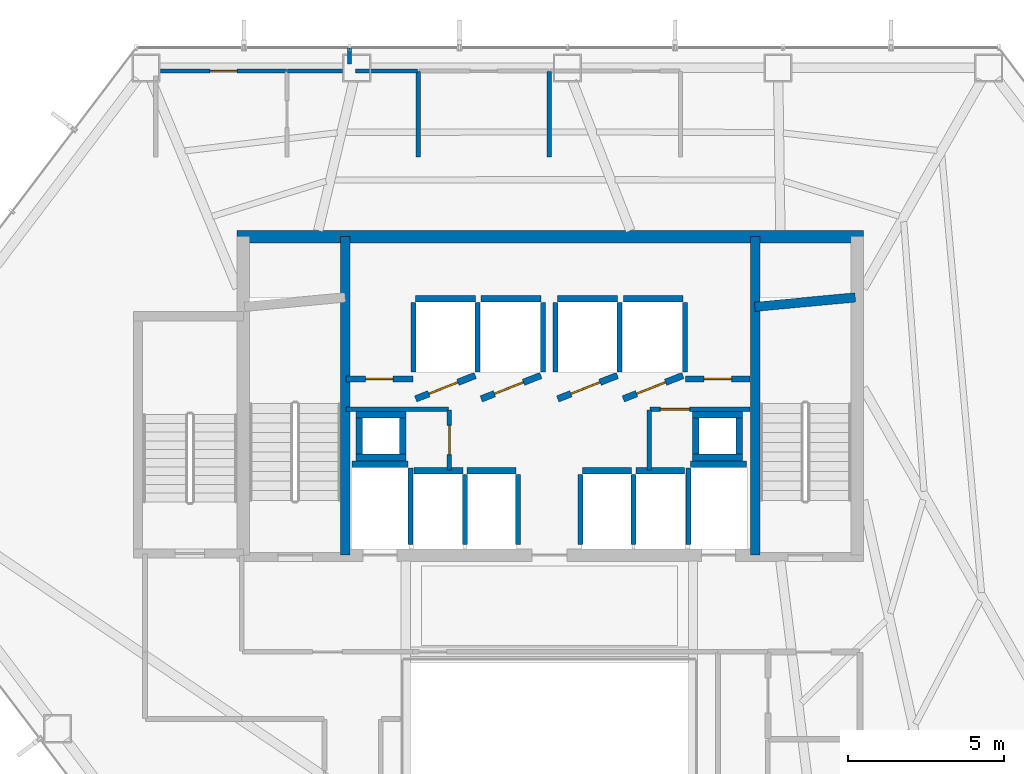
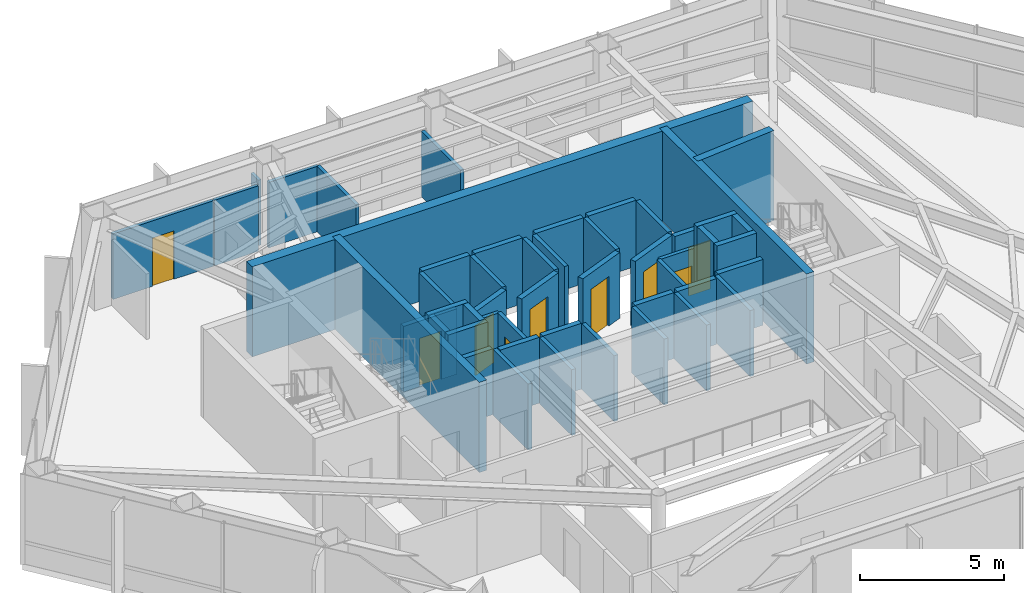
# One storey, part 22 of 24: 50 walls, 9 doors, 9 openings.
"""IFC4 building model written with IfcOpenShell, lengths in metres."""

from ifc_helpers import new_model, si_unit, direction, frame, frame_2d, origin, place, context, subcontext, project, spatial, rectangle, extrude, material, layer, layer_set, type_object, element, fill, save


model = new_model("IFC4")

# Units and contexts
model_context = context("Model", 3, precision=1e-05, world=origin(), true_north=direction((0.0, 1.0)))
body_context = subcontext(model_context, "Body", "Model", "MODEL_VIEW")
ifc_project = project(units=[si_unit("LENGTHUNIT", "METRE"), si_unit("AREAUNIT", "SQUARE_METRE"), si_unit("VOLUMEUNIT", "CUBIC_METRE"), si_unit("PLANEANGLEUNIT", "RADIAN"), si_unit("MASSUNIT", "GRAM", prefix="KILO")], contexts=[model_context])

# Site, building, storey
site_placement = place(None, origin())
site = spatial("IfcSite", under=ifc_project, at=site_placement, CompositionType="ELEMENT")
building_placement = place(site_placement, origin())
building = spatial("IfcBuilding", under=site, at=building_placement, Name="Zarrinselat Tower", CompositionType="ELEMENT")
storey_placement = place(building_placement, frame((0.0, 0.0, 100.97998046875)))
storey = spatial("IfcBuildingStorey", under=building, at=storey_placement, Name="L24", CompositionType="ELEMENT", Elevation=100.97998046875)

# Wall, opening, door
ifc_material_1 = material(Name="Fire-Rated Gypsum Board Partition", Category="gypsum")
ifc_layer_1 = layer(ifc_material_1, 0.14990234375)
ifc_layer_set_1 = layer_set([ifc_layer_1], Name="Fire-Rated Gypsum Board Partition")
wall_type_1 = type_object("IfcWallType", Name="WAL-PART-EI60", PredefinedType="PARTITIONING", material=ifc_layer_set_1)
wall_1_placement = place(storey_placement, frame((35.199951171875, 35.969970703125, 0.0), z_axis=(0.0, 0.0, 1.0), x_axis=(0.0, 1.0, 0.0)))
wall_1 = element("IfcWall", 1, at=wall_1_placement, inside=storey, type_object=wall_type_1, Name="L24 Partition Wall 1", PredefinedType="PARTITIONING", context=body_context, shape_type="SweptSolid", body=[
    extrude(rectangle(XDim=1.929931640625, YDim=0.14990234375, at=frame_2d((0.96484375, 0.0))), origin(), (0.0, 0.0, 1.0), 2.777099609375),
])
opening_1_placement = place(wall_1_placement, frame((0.4951171875, 0.0, 0.0)))
opening_1 = element("IfcOpeningElement", 2, at=opening_1_placement, cuts=wall_1, Name="Opening ID-04", PredefinedType="OPENING", context=body_context, shape_type="SweptSolid", body=[
    extrude(rectangle(XDim=0.93994140625, YDim=2.050048828125, at=frame_2d((0.469970703125, 1.02490234375))), frame((0.0, 0.0849609375, 0.0), z_axis=(0.0, -1.0, 0.0), x_axis=(1.0, 0.0, 0.0)), (0.0, 0.0, 1.0), 0.169921875),
])
ifc_material_2 = material(Name="Fire-Rated Gypsum Board Partition")
door_type_1 = type_object("IfcDoorType", Name="DR-INT-FD30-ENT", OperationType="NOTDEFINED", PredefinedType="DOOR", material=ifc_material_2)
door_1_placement = place(opening_1_placement, origin())
door_1 = element("IfcDoor", 3, at=door_1_placement, inside=storey, type_object=door_type_1, Name="L24 Interior Door P1", OperationType="SINGLE_SWING_LEFT", OverallHeight=2.050048828125, OverallWidth=0.93994140625, PredefinedType="DOOR", context=body_context, shape_type="SweptSolid", body=[
    extrude(rectangle(XDim=0.93994140625, YDim=2.050048828125, at=frame_2d((0.469970703125, 1.02490234375))), frame((0.0, 0.02490234375, 0.0), z_axis=(0.0, -1.0, 0.0), x_axis=(1.0, 0.0, 0.0)), (0.0, 0.0, 1.0), 0.050048828125),
])
fill(opening_1, door_1)

# Wall
wall_2_placement = place(storey_placement, frame((31.885009765625, 37.919921875, 0.0), z_axis=(0.0, 0.0, 1.0), x_axis=(1.0, 0.0, 0.0)))
element("IfcWall", 4, at=wall_2_placement, inside=storey, type_object=wall_type_1, Name="L24 Partition Wall 2", PredefinedType="PARTITIONING", context=body_context, shape_type="SweptSolid", body=[
    extrude(rectangle(XDim=3.294921875, YDim=0.14990234375, at=frame_2d((1.6474609375, 0.0))), origin(), (0.0, 0.0, 1.0), 2.777099609375),
])

# Wall, opening, door
wall_3_placement = place(storey_placement, frame((41.6201171875, 37.919921875, 0.0), z_axis=(0.0, 0.0, 1.0), x_axis=(1.0, 0.0, 0.0)))
wall_3 = element("IfcWall", 5, at=wall_3_placement, inside=storey, type_object=wall_type_1, Name="L24 Partition Wall 5", PredefinedType="PARTITIONING", context=body_context, shape_type="SweptSolid", body=[
    extrude(rectangle(XDim=3.21484375, YDim=0.14990234375, at=frame_2d((1.607421875, 0.0))), origin(), (0.0, 0.0, 1.0), 2.777099609375),
])
opening_2_placement = place(wall_3_placement, frame((0.33740234375, 0.0, 0.0)))
opening_2 = element("IfcOpeningElement", 6, at=opening_2_placement, cuts=wall_3, Name="Opening ID-04", PredefinedType="OPENING", context=body_context, shape_type="SweptSolid", body=[
    extrude(rectangle(XDim=0.93994140625, YDim=2.050048828125, at=frame_2d((0.469970703125, 1.02490234375))), frame((0.0, 0.0849609375, 0.0), z_axis=(0.0, -1.0, 0.0), x_axis=(1.0, 0.0, 0.0)), (0.0, 0.0, 1.0), 0.169921875),
])
door_2_placement = place(opening_2_placement, origin())
door_2 = element("IfcDoor", 7, at=door_2_placement, inside=storey, type_object=door_type_1, Name="L24 Interior Door P5", OperationType="SINGLE_SWING_RIGHT", OverallHeight=2.050048828125, OverallWidth=0.93994140625, PredefinedType="DOOR", context=body_context, shape_type="SweptSolid", body=[
    extrude(rectangle(XDim=0.93994140625, YDim=2.050048828125, at=frame_2d((0.469970703125, 1.02490234375))), frame((0.0, 0.02490234375, 0.0), z_axis=(0.0, -1.0, 0.0), x_axis=(1.0, 0.0, 0.0)), (0.0, 0.0, 1.0), 0.050048828125),
])
fill(opening_2, door_2)

# Wall
wall_4_placement = place(storey_placement, frame((41.60009765625, 35.969970703125, 0.0), z_axis=(0.0, 0.0, 1.0), x_axis=(0.0, 1.0, 0.0)))
element("IfcWall", 8, at=wall_4_placement, inside=storey, type_object=wall_type_1, Name="L24 Partition Wall 6", PredefinedType="PARTITIONING", context=body_context, shape_type="SweptSolid", body=[
    extrude(rectangle(XDim=1.929931640625, YDim=0.14990234375, at=frame_2d((0.96484375, 0.0))), origin(), (0.0, 0.0, 1.0), 2.777099609375),
])

# Wall, opening, door
ifc_material_3 = material(Name="Concrete C40/50", Category="concrete")
ifc_layer_2 = layer(ifc_material_3, 0.199951171875)
ifc_layer_set_2 = layer_set([ifc_layer_2], Name="Concrete C40/50")
wall_type_2 = type_object("IfcWallType", Name="WAL-PART-PLANT", PredefinedType="PARTITIONING", material=ifc_layer_set_2)
wall_5_placement = place(storey_placement, frame((31.885009765625, 38.889892578125, 0.0), z_axis=(0.0, 0.0, 1.0), x_axis=(1.0, 0.0, 0.0)))
wall_5 = element("IfcWall", 9, at=wall_5_placement, inside=storey, type_object=wall_type_2, Name="L24 Partition Wall 3", PredefinedType="PARTITIONING", context=body_context, shape_type="SweptSolid", body=[
    extrude(rectangle(XDim=2.14990234375, YDim=0.199951171875, at=frame_2d((1.074951171875, 0.0))), origin(), (0.0, 0.0, 1.0), 2.777099609375),
])
opening_3_placement = place(wall_5_placement, frame((0.635009765625, 0.0, 0.0)))
opening_3 = element("IfcOpeningElement", 10, at=opening_3_placement, cuts=wall_5, Name="Opening ID-03", PredefinedType="OPENING", context=body_context, shape_type="SweptSolid", body=[
    extrude(rectangle(XDim=0.8798828125, YDim=2.050048828125, at=frame_2d((0.43994140625, 1.02490234375))), frame((0.0, 0.10986328125, 0.0), z_axis=(0.0, -1.0, 0.0), x_axis=(1.0, 0.0, 0.0)), (0.0, 0.0, 1.0), 0.219970703125),
])
ifc_material_4 = material(Name="Steel S355J2", Category="steel")
door_type_2 = type_object("IfcDoorType", Name="DR-INT-FD60-S", OperationType="NOTDEFINED", PredefinedType="DOOR", material=ifc_material_4)
door_3_placement = place(opening_3_placement, origin())
door_3 = element("IfcDoor", 11, at=door_3_placement, inside=storey, type_object=door_type_2, Name="L24 Interior Door P3", OperationType="SINGLE_SWING_RIGHT", OverallHeight=2.050048828125, OverallWidth=0.8798828125, PredefinedType="DOOR", context=body_context, shape_type="SweptSolid", body=[
    extrude(rectangle(XDim=0.8798828125, YDim=2.050048828125, at=frame_2d((0.43994140625, 1.02490234375))), frame((0.0, 0.02490234375, 0.0), z_axis=(0.0, -1.0, 0.0), x_axis=(1.0, 0.0, 0.0)), (0.0, 0.0, 1.0), 0.050048828125),
])
fill(opening_3, door_3)

wall_6_placement = place(storey_placement, frame((42.764892578125, 38.889892578125, 0.0), z_axis=(0.0, 0.0, 1.0), x_axis=(1.0, 0.0, 0.0)))
wall_6 = element("IfcWall", 12, at=wall_6_placement, inside=storey, type_object=wall_type_2, Name="L24 Partition Wall 4", PredefinedType="PARTITIONING", context=body_context, shape_type="SweptSolid", body=[
    extrude(rectangle(XDim=2.070068359375, YDim=0.199951171875, at=frame_2d((1.03515625, 0.0))), origin(), (0.0, 0.0, 1.0), 2.777099609375),
])
opening_4_placement = place(wall_6_placement, frame((0.594970703125, 0.0, 0.0)))
opening_4 = element("IfcOpeningElement", 13, at=opening_4_placement, cuts=wall_6, Name="Opening ID-03", PredefinedType="OPENING", context=body_context, shape_type="SweptSolid", body=[
    extrude(rectangle(XDim=0.8798828125, YDim=2.050048828125, at=frame_2d((0.43994140625, 1.02490234375))), frame((0.0, 0.10986328125, 0.0), z_axis=(0.0, -1.0, 0.0), x_axis=(1.0, 0.0, 0.0)), (0.0, 0.0, 1.0), 0.219970703125),
])
door_4_placement = place(opening_4_placement, origin())
door_4 = element("IfcDoor", 14, at=door_4_placement, inside=storey, type_object=door_type_2, Name="L24 Interior Door P4", OperationType="SINGLE_SWING_LEFT", OverallHeight=2.050048828125, OverallWidth=0.8798828125, PredefinedType="DOOR", context=body_context, shape_type="SweptSolid", body=[
    extrude(rectangle(XDim=0.8798828125, YDim=2.050048828125, at=frame_2d((0.43994140625, 1.02490234375))), frame((0.0, 0.02490234375, 0.0), z_axis=(0.0, -1.0, 0.0), x_axis=(1.0, 0.0, 0.0)), (0.0, 0.0, 1.0), 0.050048828125),
])
fill(opening_4, door_4)

# Wall
ifc_material_5 = material(Name="Fire-Rated Gypsum Board Partition", Category="gypsum")
ifc_layer_3 = layer(ifc_material_5, 0.1201171875)
ifc_layer_set_3 = layer_set([ifc_layer_3], Name="Fire-Rated Gypsum Board Partition")
wall_type_3 = type_object("IfcWallType", Name="WAL-PART-STD", PredefinedType="PARTITIONING", material=ifc_layer_set_3)
wall_7_placement = place(storey_placement, frame((32.0, 48.9765625, 0.0), z_axis=(0.0, 0.0, 1.0), x_axis=(0.0, 1.0, 0.0)))
element("IfcWall", 15, at=wall_7_placement, inside=storey, type_object=wall_type_3, Name="L24 Partition Wall 45", PredefinedType="PARTITIONING", context=body_context, shape_type="SweptSolid", body=[
    extrude(rectangle(XDim=0.508544921875, YDim=0.1201171875, at=frame_2d((0.25439453125, 0.0))), origin(), (0.0, 0.0, 1.0), 2.777099609375),
])

# Wall, opening, door
ifc_material_6 = material(Name="Fire-Rated Gypsum Board Partition", Category="gypsum")
ifc_layer_4 = layer(ifc_material_6, 0.135009765625)
ifc_layer_set_4 = layer_set([ifc_layer_4], Name="Fire-Rated Gypsum Board Partition")
wall_type_4 = type_object("IfcWallType", Name="WAL-PART-WET", PredefinedType="PARTITIONING", material=ifc_layer_set_4)
wall_8_placement = place(storey_placement, frame((25.950927734375, 48.75, 0.0), z_axis=(0.0, 0.0, 1.0), x_axis=(1.0, 0.0, 0.0)))
wall_8 = element("IfcWall", 16, at=wall_8_placement, inside=storey, type_object=wall_type_4, Name="L24 Partition Wall 33", PredefinedType="PARTITIONING", context=body_context, shape_type="SweptSolid", body=[
    extrude(rectangle(XDim=4.029052734375, YDim=0.135009765625, at=frame_2d((2.0146484375, 0.0))), origin(), (0.0, 0.0, 1.0), 2.777099609375),
])
opening_5_placement = place(wall_8_placement, frame((1.58447265625, 0.0, 0.0)))
opening_5 = element("IfcOpeningElement", 17, at=opening_5_placement, cuts=wall_8, Name="Opening ID-06", PredefinedType="OPENING", context=body_context, shape_type="SweptSolid", body=[
    extrude(rectangle(XDim=0.860107421875, YDim=2.050048828125, at=frame_2d((0.43017578125, 1.02490234375))), frame((0.0, 0.077392578125, 0.0), z_axis=(0.0, -1.0, 0.0), x_axis=(1.0, 0.0, 0.0)), (0.0, 0.0, 1.0), 0.155029296875),
])
ifc_material_7 = material(Name="Extruded Aluminium Alloy EN AW-6063 T6", Category="aluminium")
door_type_3 = type_object("IfcDoorType", Name="DR-INT-WET-900", OperationType="NOTDEFINED", PredefinedType="DOOR", material=ifc_material_7)
door_5_placement = place(opening_5_placement, origin())
door_5 = element("IfcDoor", 18, at=door_5_placement, inside=storey, type_object=door_type_3, Name="L24 Interior Door P33", OperationType="SINGLE_SWING_RIGHT", OverallHeight=2.050048828125, OverallWidth=0.860107421875, PredefinedType="DOOR", context=body_context, shape_type="SweptSolid", body=[
    extrude(rectangle(XDim=0.860107421875, YDim=2.050048828125, at=frame_2d((0.43017578125, 1.02490234375))), frame((0.0, 0.02490234375, 0.0), z_axis=(0.0, -1.0, 0.0), x_axis=(1.0, 0.0, 0.0)), (0.0, 0.0, 1.0), 0.050048828125),
])
fill(opening_5, door_5)

# Walls
wall_9_placement = place(storey_placement, frame((34.199951171875, 46.0, 0.0), z_axis=(0.0, 0.0, 1.0), x_axis=(0.0, 1.0, 0.0)))
element("IfcWall", 19, at=wall_9_placement, inside=storey, type_object=wall_type_4, Name="L24 Partition Wall 35", PredefinedType="PARTITIONING", context=body_context, shape_type="SweptSolid", body=[
    extrude(rectangle(XDim=2.72998046875, YDim=0.135009765625, at=frame_2d((1.364990234375, 0.0))), origin(), (0.0, 0.0, 1.0), 2.777099609375),
])
wall_10_placement = place(storey_placement, frame((30.02001953125, 48.75, 0.0), z_axis=(0.0, 0.0, 1.0), x_axis=(1.0, 0.0, 0.0)))
element("IfcWall", 20, at=wall_10_placement, inside=storey, type_object=wall_type_4, Name="L24 Partition Wall 36", PredefinedType="PARTITIONING", context=body_context, shape_type="SweptSolid", body=[
    extrude(rectangle(XDim=1.754638671875, YDim=0.135009765625, at=frame_2d((0.87744140625, 0.0))), origin(), (0.0, 0.0, 1.0), 2.777099609375),
])
wall_11_placement = place(storey_placement, frame((32.19775390625, 48.75, 0.0), z_axis=(0.0, 0.0, 1.0), x_axis=(1.0, 0.0, 0.0)))
element("IfcWall", 21, at=wall_11_placement, inside=storey, type_object=wall_type_4, Name="L24 Partition Wall 37", PredefinedType="PARTITIONING", context=body_context, shape_type="SweptSolid", body=[
    extrude(rectangle(XDim=1.982177734375, YDim=0.135009765625, at=frame_2d((0.9912109375, 0.0))), origin(), (0.0, 0.0, 1.0), 2.777099609375),
])
wall_12_placement = place(storey_placement, frame((38.39990234375, 46.0, 0.0), z_axis=(0.0, 0.0, 1.0), x_axis=(0.0, 1.0, 0.0)))
element("IfcWall", 22, at=wall_12_placement, inside=storey, type_object=wall_type_4, Name="L24 Partition Wall 38", PredefinedType="PARTITIONING", context=body_context, shape_type="SweptSolid", body=[
    extrude(rectangle(XDim=2.72998046875, YDim=0.135009765625, at=frame_2d((1.364990234375, 0.0))), origin(), (0.0, 0.0, 1.0), 2.777099609375),
])
ifc_material_8 = material(Name="Concrete C40/50", Category="concrete")
ifc_layer_5 = layer(ifc_material_8, 0.2099609375)
ifc_layer_set_5 = layer_set([ifc_layer_5], Name="Concrete C40/50")
wall_type_5 = type_object("IfcWallType", Name="WAL-SHAFT-210", PredefinedType="SOLIDWALL", material=ifc_layer_set_5)
wall_13_placement = place(storey_placement, frame((32.080078125, 36.155029296875, 0.0), z_axis=(0.0, 0.0, 1.0), x_axis=(1.0, 0.0, 0.0)))
element("IfcWall", 23, at=wall_13_placement, inside=storey, type_object=wall_type_5, Name="L24 Lift FFL1 North Shaft Wall", PredefinedType="SOLIDWALL", context=body_context, shape_type="SweptSolid", body=[
    extrude(rectangle(XDim=1.7998046875, YDim=0.2099609375, at=frame_2d((0.89990234375, 0.0))), origin(), (0.0, 0.0, 1.0), 2.7919921875),
])
wall_14_placement = place(storey_placement, frame((33.949951171875, 33.580078125, 0.0), z_axis=(0.0, 0.0, 1.0), x_axis=(0.0, 1.0, 0.0)))
element("IfcWall", 24, at=wall_14_placement, inside=storey, type_object=wall_type_5, Name="L24 Lift FFL1 E Shaft Wall", PredefinedType="SOLIDWALL", context=body_context, shape_type="SweptSolid", body=[
    extrude(rectangle(XDim=2.449951171875, YDim=0.159912109375, at=frame_2d((1.22509765625, 0.0))), origin(), (0.0, 0.0, 1.0), 2.7919921875),
])
wall_15_placement = place(storey_placement, frame((42.919921875, 36.155029296875, 0.0), z_axis=(0.0, 0.0, 1.0), x_axis=(1.0, 0.0, 0.0)))
element("IfcWall", 25, at=wall_15_placement, inside=storey, type_object=wall_type_5, Name="L24 Lift FFL2 North Shaft Wall", PredefinedType="SOLIDWALL", context=body_context, shape_type="SweptSolid", body=[
    extrude(rectangle(XDim=1.800048828125, YDim=0.2099609375, at=frame_2d((0.89990234375, 0.0))), origin(), (0.0, 0.0, 1.0), 2.7919921875),
])
wall_16_placement = place(storey_placement, frame((42.85009765625, 33.580078125, 0.0), z_axis=(0.0, 0.0, 1.0), x_axis=(0.0, 1.0, 0.0)))
element("IfcWall", 26, at=wall_16_placement, inside=storey, type_object=wall_type_5, Name="L24 Lift FFL2 W Shaft Wall", PredefinedType="SOLIDWALL", context=body_context, shape_type="SweptSolid", body=[
    extrude(rectangle(XDim=2.449951171875, YDim=0.159912109375, at=frame_2d((1.22509765625, 0.0))), origin(), (0.0, 0.0, 1.0), 2.7919921875),
])

# Wall, opening, door
wall_17_placement = place(storey_placement, frame((34.1201171875, 38.25, 0.0), z_axis=(0.0, 0.0, 1.0), x_axis=(0.930804993012, 0.36551616241, 0.0)))
wall_17 = element("IfcWall", 27, at=wall_17_placement, inside=storey, type_object=wall_type_5, Name="L24 Lift PL1 Front Shaft Wall", PredefinedType="SOLIDWALL", context=body_context, shape_type="SweptSolid", body=[
    extrude(rectangle(XDim=2.052001953125, YDim=0.2099609375, at=frame_2d((1.02587890625, 0.0))), origin(), (0.0, 0.0, 1.0), 2.7919921875),
])
opening_6_placement = place(wall_17_placement, frame((0.455078125, 0.0, 0.0)))
opening_6 = element("IfcOpeningElement", 28, at=opening_6_placement, cuts=wall_17, Name="Opening LD-PL1", PredefinedType="OPENING", context=body_context, shape_type="SweptSolid", body=[
    extrude(rectangle(XDim=1.0, YDim=2.10009765625, at=frame_2d((0.5, 1.050048828125))), frame((0.0, 0.114990234375, 0.0), z_axis=(0.0, -1.0, 0.0), x_axis=(1.0, 0.0, 0.0)), (0.0, 0.0, 1.0), 0.22998046875),
])
ifc_material_9 = material(Name="Steel S355J2", Category="steel")
door_type_4 = type_object("IfcDoorType", Name="DR-LIFT-PS-1000", OperationType="NOTDEFINED", PredefinedType="DOOR", material=ifc_material_9)
door_6_placement = place(opening_6_placement, origin())
door_6 = element("IfcDoor", 29, at=door_6_placement, inside=storey, type_object=door_type_4, Name="L24 Lift PL1 Sliding Landing Door", OperationType="SLIDING_TO_LEFT", OverallHeight=2.10009765625, OverallWidth=1.0, PredefinedType="DOOR", context=body_context, shape_type="SweptSolid", body=[
    extrude(rectangle(XDim=1.0, YDim=2.10009765625, at=frame_2d((0.5, 1.050048828125))), frame((0.0, 0.02490234375, 0.0), z_axis=(0.0, -1.0, 0.0), x_axis=(1.0, 0.0, 0.0)), (0.0, 0.0, 1.0), 0.050048828125),
])
fill(opening_6, door_6)

# Walls
wall_18_placement = place(storey_placement, frame((34.1201171875, 41.455078125, 0.0), z_axis=(0.0, 0.0, 1.0), x_axis=(1.0, 0.0, 0.0)))
element("IfcWall", 30, at=wall_18_placement, inside=storey, type_object=wall_type_5, Name="L24 Lift PL1 Rear Shaft Wall", PredefinedType="SOLIDWALL", context=body_context, shape_type="SweptSolid", body=[
    extrude(rectangle(XDim=1.909912109375, YDim=0.2099609375, at=frame_2d((0.955078125, 0.0))), origin(), (0.0, 0.0, 1.0), 2.7919921875),
])
for number, where, z_axis, x_axis, name in (
    (31, (34.050048828125, 39.1201171875, 0.0), (0.0, 0.0, 1.0), (0.0, 1.0, 0.0), "L24 Lift PL1 W Shaft Wall"),
    (32, (36.10009765625, 39.1201171875, 0.0), (0.0, 0.0, 1.0), (0.0, 1.0, 0.0), "L24 Lift PL1 E Shaft Wall"),
):
    element("IfcWall", number, at=place(storey_placement, frame(where, z_axis=z_axis, x_axis=x_axis)), inside=storey, type_object=wall_type_5, Name=name, PredefinedType="SOLIDWALL", context=body_context, shape_type="SweptSolid", body=[
        extrude(rectangle(XDim=2.2099609375, YDim=0.159912109375, at=frame_2d((1.10498046875, 0.0))), origin(), (0.0, 0.0, 1.0), 2.7919921875),
    ])

# Wall, opening, door
wall_19_placement = place(storey_placement, frame((36.219970703125, 38.25, 0.0), z_axis=(0.0, 0.0, 1.0), x_axis=(0.930804993012, 0.36551616241, 0.0)))
wall_19 = element("IfcWall", 33, at=wall_19_placement, inside=storey, type_object=wall_type_5, Name="L24 Lift PL2 Front Shaft Wall", PredefinedType="SOLIDWALL", context=body_context, shape_type="SweptSolid", body=[
    extrude(rectangle(XDim=2.052001953125, YDim=0.2099609375, at=frame_2d((1.02587890625, 0.0))), origin(), (0.0, 0.0, 1.0), 2.7919921875),
])
opening_7_placement = place(wall_19_placement, frame((0.455078125, 0.0, 0.0)))
opening_7 = element("IfcOpeningElement", 34, at=opening_7_placement, cuts=wall_19, Name="Opening LD-PL2", PredefinedType="OPENING", context=body_context, shape_type="SweptSolid", body=[
    extrude(rectangle(XDim=1.0, YDim=2.10009765625, at=frame_2d((0.5, 1.050048828125))), frame((0.0, 0.114990234375, 0.0), z_axis=(0.0, -1.0, 0.0), x_axis=(1.0, 0.0, 0.0)), (0.0, 0.0, 1.0), 0.22998046875),
])
door_7_placement = place(opening_7_placement, origin())
door_7 = element("IfcDoor", 35, at=door_7_placement, inside=storey, type_object=door_type_4, Name="L24 Lift PL2 Sliding Landing Door", OperationType="SLIDING_TO_RIGHT", OverallHeight=2.10009765625, OverallWidth=1.0, PredefinedType="DOOR", context=body_context, shape_type="SweptSolid", body=[
    extrude(rectangle(XDim=1.0, YDim=2.10009765625, at=frame_2d((0.5, 1.050048828125))), frame((0.0, 0.02490234375, 0.0), z_axis=(0.0, -1.0, 0.0), x_axis=(1.0, 0.0, 0.0)), (0.0, 0.0, 1.0), 0.050048828125),
])
fill(opening_7, door_7)

# Walls
wall_20_placement = place(storey_placement, frame((36.219970703125, 41.455078125, 0.0), z_axis=(0.0, 0.0, 1.0), x_axis=(1.0, 0.0, 0.0)))
element("IfcWall", 36, at=wall_20_placement, inside=storey, type_object=wall_type_5, Name="L24 Lift PL2 Rear Shaft Wall", PredefinedType="SOLIDWALL", context=body_context, shape_type="SweptSolid", body=[
    extrude(rectangle(XDim=1.909912109375, YDim=0.2099609375, at=frame_2d((0.955078125, 0.0))), origin(), (0.0, 0.0, 1.0), 2.7919921875),
])
wall_21_placement = place(storey_placement, frame((38.199951171875, 39.1201171875, 0.0), z_axis=(0.0, 0.0, 1.0), x_axis=(0.0, 1.0, 0.0)))
element("IfcWall", 37, at=wall_21_placement, inside=storey, type_object=wall_type_5, Name="L24 Lift PL2 E Shaft Wall", PredefinedType="SOLIDWALL", context=body_context, shape_type="SweptSolid", body=[
    extrude(rectangle(XDim=2.2099609375, YDim=0.159912109375, at=frame_2d((1.10498046875, 0.0))), origin(), (0.0, 0.0, 1.0), 2.7919921875),
])

# Wall, opening, door
wall_22_placement = place(storey_placement, frame((38.669921875, 38.25, 0.0), z_axis=(0.0, 0.0, 1.0), x_axis=(0.930820886763, 0.3654756856, 0.0)))
wall_22 = element("IfcWall", 38, at=wall_22_placement, inside=storey, type_object=wall_type_5, Name="L24 Lift PL3 Front Shaft Wall", PredefinedType="SOLIDWALL", context=body_context, shape_type="SweptSolid", body=[
    extrude(rectangle(XDim=2.052001953125, YDim=0.2099609375, at=frame_2d((1.02587890625, 0.0))), origin(), (0.0, 0.0, 1.0), 2.7919921875),
])
opening_8_placement = place(wall_22_placement, frame((0.455078125, 0.0, 0.0)))
opening_8 = element("IfcOpeningElement", 39, at=opening_8_placement, cuts=wall_22, Name="Opening LD-PL3", PredefinedType="OPENING", context=body_context, shape_type="SweptSolid", body=[
    extrude(rectangle(XDim=1.0, YDim=2.10009765625, at=frame_2d((0.5, 1.050048828125))), frame((0.0, 0.114990234375, 0.0), z_axis=(0.0, -1.0, 0.0), x_axis=(1.0, 0.0, 0.0)), (0.0, 0.0, 1.0), 0.22998046875),
])
door_8_placement = place(opening_8_placement, origin())
door_8 = element("IfcDoor", 40, at=door_8_placement, inside=storey, type_object=door_type_4, Name="L24 Lift PL3 Sliding Landing Door", OperationType="SLIDING_TO_LEFT", OverallHeight=2.10009765625, OverallWidth=1.0, PredefinedType="DOOR", context=body_context, shape_type="SweptSolid", body=[
    extrude(rectangle(XDim=1.0, YDim=2.10009765625, at=frame_2d((0.5, 1.050048828125))), frame((0.0, 0.02490234375, 0.0), z_axis=(0.0, -1.0, 0.0), x_axis=(1.0, 0.0, 0.0)), (0.0, 0.0, 1.0), 0.050048828125),
])
fill(opening_8, door_8)

# Walls
wall_23_placement = place(storey_placement, frame((38.669921875, 41.455078125, 0.0), z_axis=(0.0, 0.0, 1.0), x_axis=(1.0, 0.0, 0.0)))
element("IfcWall", 41, at=wall_23_placement, inside=storey, type_object=wall_type_5, Name="L24 Lift PL3 Rear Shaft Wall", PredefinedType="SOLIDWALL", context=body_context, shape_type="SweptSolid", body=[
    extrude(rectangle(XDim=1.91015625, YDim=0.2099609375, at=frame_2d((0.955078125, 0.0))), origin(), (0.0, 0.0, 1.0), 2.7919921875),
])
for number, where, z_axis, x_axis, name in (
    (42, (38.60009765625, 39.1201171875, 0.0), (0.0, 0.0, 1.0), (0.0, 1.0, 0.0), "L24 Lift PL3 W Shaft Wall"),
    (43, (40.64990234375, 39.1201171875, 0.0), (0.0, 0.0, 1.0), (0.0, 1.0, 0.0), "L24 Lift PL3 E Shaft Wall"),
):
    element("IfcWall", number, at=place(storey_placement, frame(where, z_axis=z_axis, x_axis=x_axis)), inside=storey, type_object=wall_type_5, Name=name, PredefinedType="SOLIDWALL", context=body_context, shape_type="SweptSolid", body=[
        extrude(rectangle(XDim=2.2099609375, YDim=0.159912109375, at=frame_2d((1.10498046875, 0.0))), origin(), (0.0, 0.0, 1.0), 2.7919921875),
    ])

# Wall, opening, door
wall_24_placement = place(storey_placement, frame((40.77001953125, 38.25, 0.0), z_axis=(0.0, 0.0, 1.0), x_axis=(0.930804993012, 0.36551616241, 0.0)))
wall_24 = element("IfcWall", 44, at=wall_24_placement, inside=storey, type_object=wall_type_5, Name="L24 Lift PL4 Front Shaft Wall", PredefinedType="SOLIDWALL", context=body_context, shape_type="SweptSolid", body=[
    extrude(rectangle(XDim=2.052001953125, YDim=0.2099609375, at=frame_2d((1.02587890625, 0.0))), origin(), (0.0, 0.0, 1.0), 2.7919921875),
])
opening_9_placement = place(wall_24_placement, frame((0.455078125, 0.0, 0.0)))
opening_9 = element("IfcOpeningElement", 45, at=opening_9_placement, cuts=wall_24, Name="Opening LD-PL4", PredefinedType="OPENING", context=body_context, shape_type="SweptSolid", body=[
    extrude(rectangle(XDim=1.0, YDim=2.10009765625, at=frame_2d((0.5, 1.050048828125))), frame((0.0, 0.114990234375, 0.0), z_axis=(0.0, -1.0, 0.0), x_axis=(1.0, 0.0, 0.0)), (0.0, 0.0, 1.0), 0.22998046875),
])
door_9_placement = place(opening_9_placement, origin())
door_9 = element("IfcDoor", 46, at=door_9_placement, inside=storey, type_object=door_type_4, Name="L24 Lift PL4 Sliding Landing Door", OperationType="SLIDING_TO_RIGHT", OverallHeight=2.10009765625, OverallWidth=1.0, PredefinedType="DOOR", context=body_context, shape_type="SweptSolid", body=[
    extrude(rectangle(XDim=1.0, YDim=2.10009765625, at=frame_2d((0.5, 1.050048828125))), frame((0.0, 0.02490234375, 0.0), z_axis=(0.0, -1.0, 0.0), x_axis=(1.0, 0.0, 0.0)), (0.0, 0.0, 1.0), 0.050048828125),
])
fill(opening_9, door_9)

# Walls
wall_25_placement = place(storey_placement, frame((40.77001953125, 41.455078125, 0.0), z_axis=(0.0, 0.0, 1.0), x_axis=(1.0, 0.0, 0.0)))
element("IfcWall", 47, at=wall_25_placement, inside=storey, type_object=wall_type_5, Name="L24 Lift PL4 Rear Shaft Wall", PredefinedType="SOLIDWALL", context=body_context, shape_type="SweptSolid", body=[
    extrude(rectangle(XDim=1.909912109375, YDim=0.2099609375, at=frame_2d((0.955078125, 0.0))), origin(), (0.0, 0.0, 1.0), 2.7919921875),
])
wall_26_placement = place(storey_placement, frame((42.75, 39.1201171875, 0.0), z_axis=(0.0, 0.0, 1.0), x_axis=(0.0, 1.0, 0.0)))
element("IfcWall", 48, at=wall_26_placement, inside=storey, type_object=wall_type_5, Name="L24 Lift PL4 E Shaft Wall", PredefinedType="SOLIDWALL", context=body_context, shape_type="SweptSolid", body=[
    extrude(rectangle(XDim=2.2099609375, YDim=0.159912109375, at=frame_2d((1.10498046875, 0.0))), origin(), (0.0, 0.0, 1.0), 2.7919921875),
])
wall_27_placement = place(storey_placement, frame((34.070068359375, 35.955078125, 0.0), z_axis=(0.0, 0.0, 1.0), x_axis=(1.0, 0.0, 0.0)))
element("IfcWall", 49, at=wall_27_placement, inside=storey, type_object=wall_type_5, Name="L24 Lift PL5 North Shaft Wall", PredefinedType="SOLIDWALL", context=body_context, shape_type="SweptSolid", body=[
    extrude(rectangle(XDim=1.559814453125, YDim=0.2099609375, at=frame_2d((0.77978515625, 0.0))), origin(), (0.0, 0.0, 1.0), 2.7919921875),
])
wall_28_placement = place(storey_placement, frame((35.699951171875, 33.580078125, 0.0), z_axis=(0.0, 0.0, 1.0), x_axis=(0.0, 1.0, 0.0)))
element("IfcWall", 50, at=wall_28_placement, inside=storey, type_object=wall_type_5, Name="L24 Lift PL5 E Shaft Wall", PredefinedType="SOLIDWALL", context=body_context, shape_type="SweptSolid", body=[
    extrude(rectangle(XDim=2.25, YDim=0.159912109375, at=frame_2d((1.125, 0.0))), origin(), (0.0, 0.0, 1.0), 2.7919921875),
])
wall_29_placement = place(storey_placement, frame((35.77001953125, 35.955078125, 0.0), z_axis=(0.0, 0.0, 1.0), x_axis=(1.0, 0.0, 0.0)))
element("IfcWall", 51, at=wall_29_placement, inside=storey, type_object=wall_type_5, Name="L24 Lift PL6 North Shaft Wall", PredefinedType="SOLIDWALL", context=body_context, shape_type="SweptSolid", body=[
    extrude(rectangle(XDim=1.56005859375, YDim=0.2099609375, at=frame_2d((0.780029296875, 0.0))), origin(), (0.0, 0.0, 1.0), 2.7919921875),
])
wall_30_placement = place(storey_placement, frame((37.39990234375, 33.580078125, 0.0), z_axis=(0.0, 0.0, 1.0), x_axis=(0.0, 1.0, 0.0)))
element("IfcWall", 52, at=wall_30_placement, inside=storey, type_object=wall_type_5, Name="L24 Lift PL6 E Shaft Wall", PredefinedType="SOLIDWALL", context=body_context, shape_type="SweptSolid", body=[
    extrude(rectangle(XDim=2.25, YDim=0.159912109375, at=frame_2d((1.125, 0.0))), origin(), (0.0, 0.0, 1.0), 2.7919921875),
])
wall_31_placement = place(storey_placement, frame((39.469970703125, 35.955078125, 0.0), z_axis=(0.0, 0.0, 1.0), x_axis=(1.0, 0.0, 0.0)))
element("IfcWall", 53, at=wall_31_placement, inside=storey, type_object=wall_type_5, Name="L24 Lift PL8 North Shaft Wall", PredefinedType="SOLIDWALL", context=body_context, shape_type="SweptSolid", body=[
    extrude(rectangle(XDim=1.56005859375, YDim=0.2099609375, at=frame_2d((0.780029296875, 0.0))), origin(), (0.0, 0.0, 1.0), 2.7919921875),
])
for number, where, z_axis, x_axis, name in (
    (54, (39.39990234375, 33.580078125, 0.0), (0.0, 0.0, 1.0), (0.0, 1.0, 0.0), "L24 Lift PL8 W Shaft Wall"),
    (55, (41.10009765625, 33.580078125, 0.0), (0.0, 0.0, 1.0), (0.0, 1.0, 0.0), "L24 Lift PL8 E Shaft Wall"),
):
    element("IfcWall", number, at=place(storey_placement, frame(where, z_axis=z_axis, x_axis=x_axis)), inside=storey, type_object=wall_type_5, Name=name, PredefinedType="SOLIDWALL", context=body_context, shape_type="SweptSolid", body=[
        extrude(rectangle(XDim=2.25, YDim=0.159912109375, at=frame_2d((1.125, 0.0))), origin(), (0.0, 0.0, 1.0), 2.7919921875),
    ])
wall_32_placement = place(storey_placement, frame((41.169921875, 35.955078125, 0.0), z_axis=(0.0, 0.0, 1.0), x_axis=(1.0, 0.0, 0.0)))
element("IfcWall", 56, at=wall_32_placement, inside=storey, type_object=wall_type_5, Name="L24 Lift PL9 North Shaft Wall", PredefinedType="SOLIDWALL", context=body_context, shape_type="SweptSolid", body=[
    extrude(rectangle(XDim=1.56005859375, YDim=0.2099609375, at=frame_2d((0.780029296875, 0.0))), origin(), (0.0, 0.0, 1.0), 2.7919921875),
])
for number, where, z_axis, x_axis, name in (
    (57, (32.2099609375, 36.375, 0.0), (0.0, 0.0, 1.0), (1.0, 0.0, 0.0), "L24 Core Riser RSR-W S Shaft Wall"),
    (58, (32.2099609375, 37.7451171875, 0.0), (0.0, 0.0, 1.0), (1.0, 0.0, 0.0), "L24 Core Riser RSR-W N Shaft Wall"),
):
    element("IfcWall", number, at=place(storey_placement, frame(where, z_axis=z_axis, x_axis=x_axis)), inside=storey, type_object=wall_type_5, Name=name, PredefinedType="SOLIDWALL", context=body_context, shape_type="SweptSolid", body=[
        extrude(rectangle(XDim=1.60009765625, YDim=0.2099609375, at=frame_2d((0.800048828125, 0.0))), origin(), (0.0, 0.0, 1.0), 3.820068359375),
    ])
for number, where, z_axis, x_axis, name in (
    (59, (32.31494140625, 36.485107421875, 0.0), (0.0, 0.0, 1.0), (0.0, 1.0, 0.0), "L24 Core Riser RSR-W W Shaft Wall"),
    (60, (33.705078125, 36.485107421875, 0.0), (0.0, 0.0, 1.0), (0.0, 1.0, 0.0), "L24 Core Riser RSR-W E Shaft Wall"),
):
    element("IfcWall", number, at=place(storey_placement, frame(where, z_axis=z_axis, x_axis=x_axis)), inside=storey, type_object=wall_type_5, Name=name, PredefinedType="SOLIDWALL", context=body_context, shape_type="SweptSolid", body=[
        extrude(rectangle(XDim=1.14990234375, YDim=0.2099609375, at=frame_2d((0.574951171875, 0.0))), origin(), (0.0, 0.0, 1.0), 3.820068359375),
    ])
for number, where, z_axis, x_axis, name in (
    (61, (42.989990234375, 36.375, 0.0), (0.0, 0.0, 1.0), (1.0, 0.0, 0.0), "L24 Core Riser RSR-E S Shaft Wall"),
    (62, (42.989990234375, 37.7451171875, 0.0), (0.0, 0.0, 1.0), (1.0, 0.0, 0.0), "L24 Core Riser RSR-E N Shaft Wall"),
):
    element("IfcWall", number, at=place(storey_placement, frame(where, z_axis=z_axis, x_axis=x_axis)), inside=storey, type_object=wall_type_5, Name=name, PredefinedType="SOLIDWALL", context=body_context, shape_type="SweptSolid", body=[
        extrude(rectangle(XDim=1.60009765625, YDim=0.2099609375, at=frame_2d((0.800048828125, 0.0))), origin(), (0.0, 0.0, 1.0), 3.820068359375),
    ])
for number, where, z_axis, x_axis, name in (
    (63, (43.094970703125, 36.485107421875, 0.0), (0.0, 0.0, 1.0), (0.0, 1.0, 0.0), "L24 Core Riser RSR-E W Shaft Wall"),
    (64, (44.485107421875, 36.485107421875, 0.0), (0.0, 0.0, 1.0), (0.0, 1.0, 0.0), "L24 Core Riser RSR-E E Shaft Wall"),
):
    element("IfcWall", number, at=place(storey_placement, frame(where, z_axis=z_axis, x_axis=x_axis)), inside=storey, type_object=wall_type_5, Name=name, PredefinedType="SOLIDWALL", context=body_context, shape_type="SweptSolid", body=[
        extrude(rectangle(XDim=1.14990234375, YDim=0.2099609375, at=frame_2d((0.574951171875, 0.0))), origin(), (0.0, 0.0, 1.0), 3.820068359375),
    ])
ifc_material_10 = material(Name="Concrete C40/50", Category="concrete")
ifc_layer_6 = layer(ifc_material_10, 0.300048828125)
ifc_layer_set_6 = layer_set([ifc_layer_6], Name="Concrete C40/50")
wall_type_6 = type_object("IfcWallType", Name="WAL-SHEAR-300", PredefinedType="SHEAR", material=ifc_layer_set_6)
for number, where, z_axis, x_axis, name in (
    (65, (31.8701171875, 33.25, 0.0), (0.0, 0.0, 1.0), (0.0, 1.0, 0.0), "L24 Core Shear Wall ST1E"),
    (66, (44.989990234375, 33.25, 0.0), (0.0, 0.0, 1.0), (0.0, 1.0, 0.0), "L24 Core Shear Wall ST2W"),
):
    element("IfcWall", number, at=place(storey_placement, frame(where, z_axis=z_axis, x_axis=x_axis)), inside=storey, type_object=wall_type_6, Name=name, PredefinedType="SHEAR", context=body_context, shape_type="SweptSolid", body=[
        extrude(rectangle(XDim=10.199951171875, YDim=0.300048828125, at=frame_2d((5.10009765625, 0.0))), origin(), (0.0, 0.0, 1.0), 3.820068359375),
    ])
wall_33_placement = place(storey_placement, frame((44.97998046875, 41.199951171875, 0.0), z_axis=(0.0, 0.0, 1.0), x_axis=(0.995686468965, 0.09278176286, 0.0)))
element("IfcWall", 67, at=wall_33_placement, inside=storey, type_object=wall_type_6, Name="L24 Stair 2 North Shaft Wall", PredefinedType="SHEAR", context=body_context, shape_type="SweptSolid", body=[
    extrude(rectangle(XDim=3.23388671875, YDim=0.300048828125, at=frame_2d((1.616943359375, 0.0))), origin(), (0.0, 0.0, 1.0), 3.820068359375),
])
ifc_material_11 = material(Name="Concrete C60/75", Category="concrete")
ifc_layer_7 = layer(ifc_material_11, 0.39990234375)
ifc_layer_set_7 = layer_set([ifc_layer_7], Name="Concrete C60/75")
wall_type_7 = type_object("IfcWallType", Name="WAL-SHEAR-400", PredefinedType="SHEAR", material=ifc_layer_set_7)
wall_34_placement = place(storey_placement, frame((28.39990234375, 43.449951171875, 0.0), z_axis=(0.0, 0.0, 1.0), x_axis=(1.0, 0.0, 0.0)))
element("IfcWall", 68, at=wall_34_placement, inside=storey, type_object=wall_type_7, Name="L24 North Core Shear Wall", PredefinedType="SHEAR", context=body_context, shape_type="SweptSolid", body=[
    extrude(rectangle(XDim=20.06005859375, YDim=0.39990234375, at=frame_2d((10.030029296875, 0.0))), origin(), (0.0, 0.0, 1.0), 3.820068359375),
])

save(model, "model.ifc")
